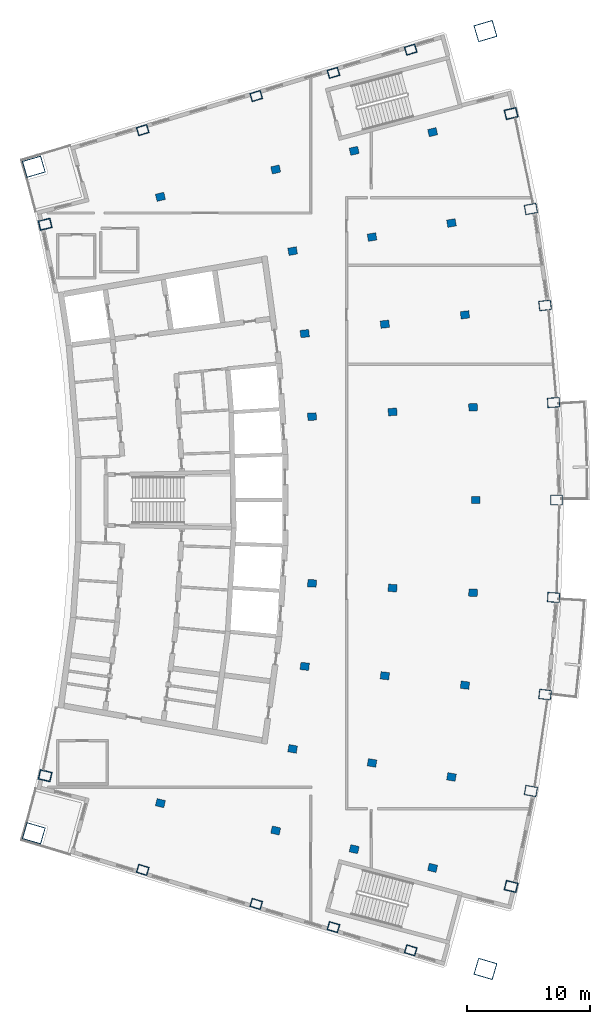
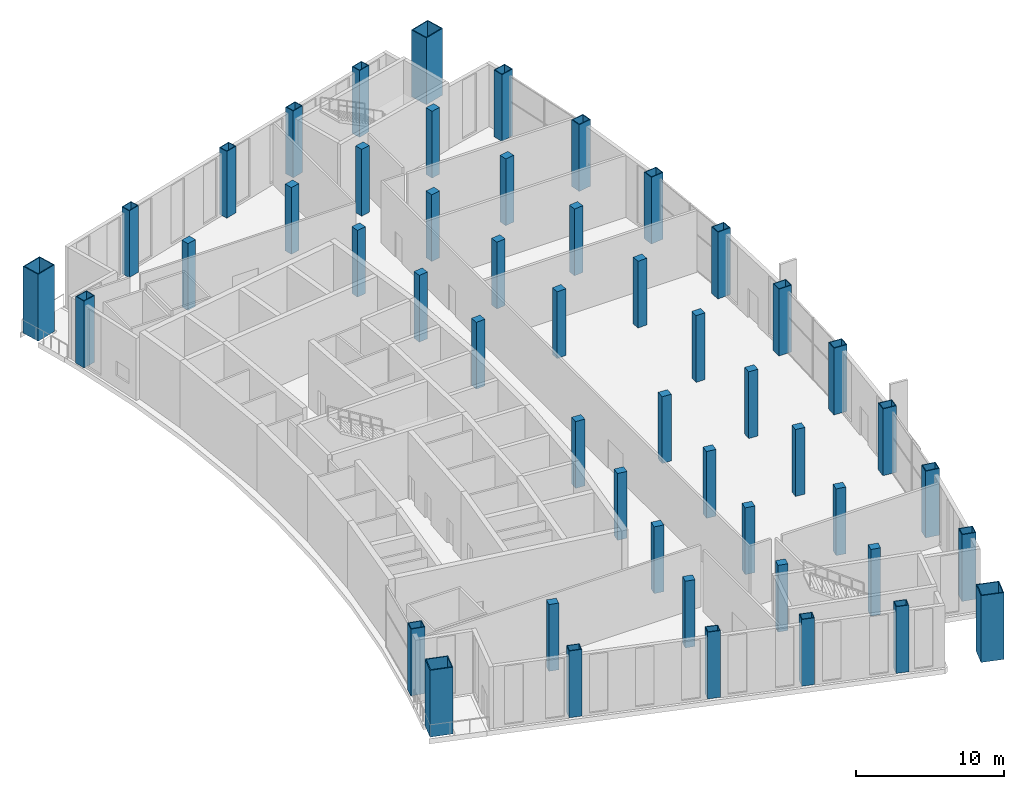
# One storey, part 1 of 13: 50 columns.
"""IFC4 building model written with IfcOpenShell, lengths in metres."""

import ifcopenshell
import ifcopenshell.guid

model = None  # the IFC model being written
_history = None  # IfcOwnerHistory: only IFC2X3 demands one
_inside = {}  # id of a spatial element -> (the spatial element, [elements in it])
_under = {}  # id of a project, library or spatial element -> (it, [spatial elements below it])
_declared = {}  # id of a project -> (the project, [libraries it declares])
_typed = {}  # id of a type object -> (the type object, [elements of that type])
_made_of = {}  # id of a material, layer set ... -> (it, [elements and type objects made of it])


def new_model(schema):
    """Start an empty IFC model of exactly this schema.

    Asked for "IFC4X3", IfcOpenShell would pick the latest addendum, in which some entities
    have other attributes; the version numbers below select the first issue.
    IFC2X3 requires an IfcOwnerHistory on every rooted entity: one is made here for all.
    """
    global model, _history
    if schema == "IFC4X3":
        model = ifcopenshell.file(schema_version=(4, 3, 0, 0))
    else:
        model = ifcopenshell.file(schema=schema)
    _inside.clear()
    _under.clear()
    _declared.clear()
    _typed.clear()
    _made_of.clear()
    _history = None
    if model.schema == "IFC2X3":
        org = make("IfcOrganization", Name="unknown")
        user = make(
            "IfcPersonAndOrganization",
            ThePerson=make("IfcPerson", FamilyName="unknown"),
            TheOrganization=org,
        )
        app = make(
            "IfcApplication",
            ApplicationDeveloper=org,
            Version="unknown",
            ApplicationFullName="unknown",
            ApplicationIdentifier="unknown",
        )
        _history = make(
            "IfcOwnerHistory",
            OwningUser=user,
            OwningApplication=app,
            ChangeAction="ADDED",
            CreationDate=0,
        )
    return model


def make(cls, **values):
    """One entity of the class cls with the attributes given. An attribute that is None is left unset."""
    return model.create_entity(
        cls, **{name: value for name, value in values.items() if value is not None}
    )


def rooted(cls, **values):
    """An entity with a GlobalId (a new one), such as an element, a storey or a relation."""
    return make(cls, GlobalId=ifcopenshell.guid.new(), OwnerHistory=_history, **values)


def si_unit(unit_type, name, prefix=None):
    """IfcSIUnit, for example si_unit("LENGTHUNIT", "METRE", prefix="MILLI")."""
    return make("IfcSIUnit", UnitType=unit_type, Prefix=prefix, Name=name)


def assignment(units):
    """IfcUnitAssignment: the units of a project."""
    return None if units is None else make("IfcUnitAssignment", Units=units)


def point(xyz):
    """IfcCartesianPoint."""
    return None if xyz is None else make("IfcCartesianPoint", Coordinates=xyz)


def direction(xyz):
    """IfcDirection."""
    return None if xyz is None else make("IfcDirection", DirectionRatios=xyz)


def frame(location, z_axis=None, x_axis=None):
    """IfcAxis2Placement3D, a coordinate frame: its origin and axes. An axis left out is left unset."""
    return make(
        "IfcAxis2Placement3D",
        Location=point(location),
        Axis=direction(z_axis),
        RefDirection=direction(x_axis),
    )


def frame_2d(location, x_axis=None):
    """IfcAxis2Placement2D, a coordinate frame in the plane: its origin and x axis."""
    return make(
        "IfcAxis2Placement2D", Location=point(location), RefDirection=direction(x_axis)
    )


def origin():
    """The frame at (0, 0, 0) with its axes left unset."""
    return frame((0.0, 0.0, 0.0))


def origin_2d():
    """The frame at (0, 0) in the plane with its x axis left unset."""
    return frame_2d((0.0, 0.0))


def place(relative_to, where):
    """IfcLocalPlacement: puts the frame where relative to a parent placement (None: the world)."""
    return make(
        "IfcLocalPlacement", PlacementRelTo=relative_to, RelativePlacement=where
    )


def context(
    kind, dimensions, precision=None, world=None, true_north=None, identifier=None
):
    """IfcGeometricRepresentationContext, for example the 3D "Model" context."""
    return make(
        "IfcGeometricRepresentationContext",
        ContextIdentifier=identifier,
        ContextType=kind,
        CoordinateSpaceDimension=dimensions,
        Precision=precision,
        WorldCoordinateSystem=world,
        TrueNorth=true_north,
    )


def subcontext(parent, identifier, kind, view, scale=None):
    """IfcGeometricRepresentationSubContext, for example "Body" below "Model"."""
    return make(
        "IfcGeometricRepresentationSubContext",
        ContextIdentifier=identifier,
        ContextType=kind,
        ParentContext=parent,
        TargetScale=scale,
        TargetView=view,
    )


def project(units=None, contexts=None):
    """IfcProject with its units and contexts."""
    return rooted(
        "IfcProject",
        Name="project",
        RepresentationContexts=contexts,
        UnitsInContext=assignment(units),
    )


def spatial(cls, under=None, at=None, **own):
    """A site, building, storey or space (cls), placed at a placement, below another one or the project."""
    s = rooted(cls, ObjectPlacement=at, **own)
    if under is not None:
        _under.setdefault(under.id(), (under, []))[1].append(s)
    return s


def profile(cls, at=None, kind="AREA", **sizes):
    """A parametric profile (cls). Its sizes go by their IFC names, for example OverallWidth=200.0."""
    return make(cls, ProfileType=kind, Position=at, **sizes)


def rectangle(**sizes):
    """IfcRectangleProfileDef."""
    return profile("IfcRectangleProfileDef", **sizes)


def hollow_rectangle(**sizes):
    """IfcRectangleHollowProfileDef."""
    return profile("IfcRectangleHollowProfileDef", **sizes)


def extrude(swept, where, along, depth):
    """IfcExtrudedAreaSolid: the profile swept, set in the frame where, extruded along a direction by depth."""
    return make(
        "IfcExtrudedAreaSolid",
        SweptArea=swept,
        Position=where,
        ExtrudedDirection=direction(along),
        Depth=depth,
    )


def shape(context_of_items, identifier, shape_type, items):
    """IfcShapeRepresentation: the items that make up one representation, for example the "Body"."""
    return make(
        "IfcShapeRepresentation",
        ContextOfItems=context_of_items,
        RepresentationIdentifier=identifier,
        RepresentationType=shape_type,
        Items=items,
    )


def material(Name=None, Category=None):
    """IfcMaterial."""
    return make("IfcMaterial", Name=Name, Category=Category)


def material_profile(
    of_material, cross_section, Name=None, Category=None, Priority=None
):
    """IfcMaterialProfile: a cross section and its material."""
    return make(
        "IfcMaterialProfile",
        Name=Name,
        Material=of_material,
        Profile=cross_section,
        Priority=Priority,
        Category=Category,
    )


def profile_set(profiles, Name=None, composite=None):
    """IfcMaterialProfileSet."""
    return make(
        "IfcMaterialProfileSet",
        Name=Name,
        MaterialProfiles=profiles,
        CompositeProfile=composite,
    )


def made_of(thing, what):
    """Note that an element or type object is made of a material, layer set ...; save() writes the relation."""
    if what is not None:
        _made_of.setdefault(what.id(), (what, []))[1].append(thing)
    return thing


def type_object(cls, material=None, **own):
    """A type object (cls), such as IfcWallType, which elements share."""
    return made_of(rooted(cls, **own), material)


def element(
    cls,
    number,
    at=None,
    inside=None,
    cuts=None,
    type_object=None,
    material=None,
    context=None,
    identifier="Body",
    shape_type=None,
    held_by="IfcProductDefinitionShape",
    body=None,
    shapes=None,
    **own,
):
    """One element of the class cls, such as IfcWall. Its Tag is "e" and its number.

    at: its placement. inside: the storey or other place that contains it. cuts: it is an
    opening in that element (IfcRelVoidsElement). A single representation is given by context,
    identifier, shape_type and body (its items); several are given by shapes. held_by: the class
    of the entity that holds the representations. save() writes the other relations.
    """
    e = rooted(cls, Tag="e%d" % number, ObjectPlacement=at, **own)
    if body is not None:
        shapes = [shape(context, identifier, shape_type, body)]
    if shapes is not None:
        e.Representation = make(held_by, Representations=shapes)
    if inside is not None:
        _inside.setdefault(inside.id(), (inside, []))[1].append(e)
    if cuts is not None:
        rooted(
            "IfcRelVoidsElement", RelatingBuildingElement=cuts, RelatedOpeningElement=e
        )
    if type_object is not None:
        _typed.setdefault(type_object.id(), (type_object, []))[1].append(e)
    return made_of(e, material)


def aggregate(whole, parts):
    """IfcRelAggregates: a whole, such as a stair, and the parts it consists of."""
    return rooted("IfcRelAggregates", RelatingObject=whole, RelatedObjects=parts)


def save(model, path):
    """Write the relations noted so far, then the file.

    IfcRelAggregates (storeys below a building ...), IfcRelContainedInSpatialStructure (elements
    in a storey), IfcRelDefinesByType, IfcRelAssociatesMaterial and IfcRelDeclares: one each for
    every whole, place, type object, material and project.
    """
    for whole, parts in _under.values():
        aggregate(whole, parts)
    for where, things in _inside.values():
        rooted(
            "IfcRelContainedInSpatialStructure",
            RelatedElements=things,
            RelatingStructure=where,
        )
    for kind, things in _typed.values():
        rooted("IfcRelDefinesByType", RelatedObjects=things, RelatingType=kind)
    for what, things in _made_of.values():
        rooted("IfcRelAssociatesMaterial", RelatedObjects=things, RelatingMaterial=what)
    for by, libraries in _declared.values():
        rooted("IfcRelDeclares", RelatingContext=by, RelatedDefinitions=libraries)
    model.write(path)


model = new_model("IFC4")

# Units and contexts
model_context = context("Model", 3, precision=1e-05, world=origin(), true_north=direction((0.0, 1.0)))
body_context = subcontext(model_context, "Body", "Model", "MODEL_VIEW")
ifc_project = project(units=[si_unit("LENGTHUNIT", "METRE"), si_unit("AREAUNIT", "SQUARE_METRE"), si_unit("VOLUMEUNIT", "CUBIC_METRE"), si_unit("PLANEANGLEUNIT", "RADIAN"), si_unit("MASSUNIT", "GRAM", prefix="KILO")], contexts=[model_context])

# Site, building, storey
site_placement = place(None, origin())
site = spatial("IfcSite", under=ifc_project, at=site_placement, CompositionType="ELEMENT")
building_placement = place(site_placement, origin())
building = spatial("IfcBuilding", under=site, at=building_placement, Name="Alderwake Tower", CompositionType="ELEMENT")
storey_placement = place(building_placement, frame((0.0, 0.0, 304.5)))
storey = spatial("IfcBuildingStorey", under=building, at=storey_placement, Name="L74", CompositionType="ELEMENT", Elevation=304.5)

# Columns
ifc_material_1 = material(Name="Steel ASTM A572 Grade 50 concrete filled C70/85", Category="concrete")
ifc_material_profile_1 = material_profile(ifc_material_1, hollow_rectangle(XDim=0.699951171875, YDim=0.89990234375, WallThickness=0.050048828125, at=origin_2d()), Name="BOX 900X700X50")
ifc_profile_set_1 = profile_set([ifc_material_profile_1], Name="Steel ASTM A572 Grade 50 concrete filled C70/85")
column_type_1 = type_object("IfcColumnType", Name="End column Z5", PredefinedType="COLUMN", material=ifc_profile_set_1)
for number, where, z_axis, x_axis, name in (
    (1, (21.885498046875, 31.03759765625, 0.0), (0.0, 0.0, 1.0), (0.282132160283, 0.95937554906, 0.0), "Column R02-C1"),
    (2, (31.080322265625, 28.27685546875, 0.0), (0.0, 0.0, 1.0), (0.282582549822, 0.959242984095, 0.0), "Column R02-C2"),
    (3, (37.337890625, 26.398193359375, 0.0), (0.0, 0.0, 1.0), (0.282847061859, 0.959165022088, 0.0), "Column R02-C3"),
    (4, (43.59521484375, 24.51953125, 0.0), (0.0, 0.0, 1.0), (0.283086443451, 0.959094398656, 0.0), "Column R02-C4"),
    (5, (21.885498046875, 90.96240234375, 0.0), (0.0, 0.0, 1.0), (-0.282132160283, 0.95937554906, 0.0), "Column R12-C1"),
    (6, (31.080322265625, 93.72314453125, 0.0), (0.0, 0.0, 1.0), (-0.282582549822, 0.959242984095, 0.0), "Column R12-C2"),
    (7, (37.337890625, 95.601806640625, 0.0), (0.0, 0.0, 1.0), (-0.282847061859, 0.959165022088, 0.0), "Column R12-C3"),
    (8, (43.59521484375, 97.48046875, 0.0), (0.0, 0.0, 1.0), (-0.283086443451, 0.959094398656, 0.0), "Column R12-C4"),
):
    element("IfcColumn", number, at=place(storey_placement, frame(where, z_axis=z_axis, x_axis=x_axis)), inside=storey, type_object=column_type_1, Name=name, PredefinedType="COLUMN", context=body_context, shape_type="SweptSolid", body=[
        extrude(hollow_rectangle(XDim=0.699951171875, YDim=0.89990234375, WallThickness=0.050048828125, at=origin_2d()), origin(), (0.0, 0.0, 1.0), 5.5),
    ])
ifc_material_2 = material(Name="Concrete C70/85", Category="concrete")
ifc_material_profile_2 = material_profile(ifc_material_2, rectangle(XDim=0.60009765625, YDim=0.699951171875, at=origin_2d()), Name="RC 700X600")
ifc_profile_set_2 = profile_set([ifc_material_profile_2], Name="Concrete C70/85")
column_type_2 = type_object("IfcColumnType", Name="Interior column Z5", PredefinedType="COLUMN", material=ifc_profile_set_2)
for number, where, z_axis, x_axis, name in (
    (9, (23.322021484375, 36.444091796875, 0.0), (0.0, 0.0, 1.0), (0.231221547198, 0.972901123502, 0.0), "Column R03-C1"),
    (10, (32.661865234375, 34.224609375, 0.0), (0.0, 0.0, 1.0), (0.231221547198, 0.972901123502, 0.0), "Column R03-C2"),
    (11, (39.018310546875, 32.7138671875, 0.0), (0.0, 0.0, 1.0), (0.231221547198, 0.972901123502, 0.0), "Column R03-C3"),
    (12, (45.37451171875, 31.203125, 0.0), (0.0, 0.0, 1.0), (0.231221547198, 0.972901123502, 0.0), "Column R03-C4"),
    (13, (34.03125, 40.83837890625, 0.0), (0.0, 0.0, 1.0), (0.174108800747, 0.984726421654, 0.0), "Column R04-C2"),
    (14, (40.46484375, 39.70068359375, 0.0), (0.0, 0.0, 1.0), (0.174108800747, 0.984726421654, 0.0), "Column R04-C3"),
    (15, (46.8984375, 38.563232421875, 0.0), (0.0, 0.0, 1.0), (0.174107082075, 0.984726725529, 0.0), "Column R04-C4"),
    (16, (35.0126953125, 47.5205078125, 0.0), (0.0, 0.0, 1.0), (0.116402054316, 0.993202175668, 0.0), "Column R05-C2"),
    (17, (41.501708984375, 46.760009765625, 0.0), (0.0, 0.0, 1.0), (0.116402054316, 0.993202175668, 0.0), "Column R05-C3"),
    (18, (47.99072265625, 45.99951171875, 0.0), (0.0, 0.0, 1.0), (0.116402054316, 0.993202175668, 0.0), "Column R05-C4"),
    (19, (35.60302734375, 54.248779296875, 0.0), (0.0, 0.0, 1.0), (0.058301061284, 0.998299046505, 0.0), "Column R06-C2"),
    (20, (42.125244140625, 53.867919921875, 0.0), (0.0, 0.0, 1.0), (0.058301061284, 0.998299046505, 0.0), "Column R06-C3"),
    (21, (48.6474609375, 53.487060546875, 0.0), (0.0, 0.0, 1.0), (0.058301061284, 0.998299046505, 0.0), "Column R06-C4"),
    (22, (48.86669921875, 61.0, 0.0), (0.0, 0.0, 1.0), (0.0, 1.0, 0.0), "Column R07-C4"),
    (23, (35.60302734375, 67.751220703125, 0.0), (0.0, 0.0, 1.0), (-0.058301061284, 0.998299046505, 0.0), "Column R08-C2"),
    (24, (42.125244140625, 68.132080078125, 0.0), (0.0, 0.0, 1.0), (-0.058301061284, 0.998299046505, 0.0), "Column R08-C3"),
    (25, (48.6474609375, 68.512939453125, 0.0), (0.0, 0.0, 1.0), (-0.058301061284, 0.998299046505, 0.0), "Column R08-C4"),
    (26, (35.0126953125, 74.4794921875, 0.0), (0.0, 0.0, 1.0), (-0.116402054316, 0.993202175668, 0.0), "Column R09-C2"),
    (27, (41.501708984375, 75.239990234375, 0.0), (0.0, 0.0, 1.0), (-0.116402054316, 0.993202175668, 0.0), "Column R09-C3"),
    (28, (47.99072265625, 76.00048828125, 0.0), (0.0, 0.0, 1.0), (-0.116402054316, 0.993202175668, 0.0), "Column R09-C4"),
    (29, (34.03125, 81.16162109375, 0.0), (0.0, 0.0, 1.0), (-0.174108800747, 0.984726421654, 0.0), "Column R10-C2"),
    (30, (40.46484375, 82.29931640625, 0.0), (0.0, 0.0, 1.0), (-0.174108800747, 0.984726421654, 0.0), "Column R10-C3"),
    (31, (46.8984375, 83.436767578125, 0.0), (0.0, 0.0, 1.0), (-0.174107082075, 0.984726725529, 0.0), "Column R10-C4"),
    (32, (23.322021484375, 85.555908203125, 0.0), (0.0, 0.0, 1.0), (-0.231221547198, 0.972901123502, 0.0), "Column R11-C1"),
    (33, (32.661865234375, 87.775390625, 0.0), (0.0, 0.0, 1.0), (-0.231221547198, 0.972901123502, 0.0), "Column R11-C2"),
    (34, (39.018310546875, 89.2861328125, 0.0), (0.0, 0.0, 1.0), (-0.231221547198, 0.972901123502, 0.0), "Column R11-C3"),
    (35, (45.37451171875, 90.796875, 0.0), (0.0, 0.0, 1.0), (-0.231221547198, 0.972901123502, 0.0), "Column R11-C4"),
):
    element("IfcColumn", number, at=place(storey_placement, frame(where, z_axis=z_axis, x_axis=x_axis)), inside=storey, type_object=column_type_2, Name=name, PredefinedType="COLUMN", context=body_context, shape_type="SweptSolid", body=[
        extrude(rectangle(XDim=0.60009765625, YDim=0.699951171875, at=origin_2d()), origin(), (0.0, 0.0, 1.0), 5.5),
    ])
ifc_material_3 = material(Name="Steel ASTM A572 Grade 50 concrete filled C70/85", Category="concrete")
ifc_material_profile_3 = material_profile(ifc_material_3, hollow_rectangle(XDim=1.39990234375, YDim=1.60009765625, WallThickness=0.070068359375, at=origin_2d()), Name="BOX 1600X1400X70")
ifc_profile_set_3 = profile_set([ifc_material_profile_3], Name="Steel ASTM A572 Grade 50 concrete filled C70/85")
column_type_3 = type_object("IfcColumnType", Name="Mega column Z5", PredefinedType="COLUMN", material=ifc_profile_set_3)
for number, where, z_axis, x_axis, name in (
    (36, (13.06298828125, 34.00244140625, 0.0), (0.0, 0.0, 1.0), (0.278612301868, 0.960403657452, 0.0), "Column R02-C0"),
    (37, (49.6494140625, 23.01318359375, 0.0), (0.0, 0.0, 1.0), (0.281175922972, 0.959656240714, 0.0), "Column R02-C5"),
    (38, (13.06298828125, 87.99755859375, 0.0), (0.0, 0.0, 1.0), (-0.278612301868, 0.960403657452, 0.0), "Column R12-C0"),
    (39, (49.6494140625, 98.98681640625, 0.0), (0.0, 0.0, 1.0), (-0.281175922972, 0.959656240714, 0.0), "Column R12-C5"),
):
    element("IfcColumn", number, at=place(storey_placement, frame(where, z_axis=z_axis, x_axis=x_axis)), inside=storey, type_object=column_type_3, Name=name, PredefinedType="COLUMN", context=body_context, shape_type="SweptSolid", body=[
        extrude(hollow_rectangle(XDim=1.39990234375, YDim=1.60009765625, WallThickness=0.070068359375, at=origin_2d()), origin(), (0.0, 0.0, 1.0), 5.5),
    ])
ifc_material_4 = material(Name="Steel ASTM A572 Grade 50 concrete filled C70/85", Category="concrete")
ifc_material_profile_4 = material_profile(ifc_material_4, hollow_rectangle(XDim=0.800048828125, YDim=1.0, WallThickness=0.054931640625, at=origin_2d()), Name="BOX 1000X800X55")
ifc_profile_set_4 = profile_set([ifc_material_profile_4], Name="Steel ASTM A572 Grade 50 concrete filled C70/85")
column_type_4 = type_object("IfcColumnType", Name="Perimeter column Z5", PredefinedType="COLUMN", material=ifc_profile_set_4)
for number, where, z_axis, x_axis, name in (
    (40, (13.982177734375, 38.6640625, 0.0), (0.0, 0.0, 1.0), (0.231221547198, 0.972901123502, 0.0), "Column R03-C0"),
    (41, (51.730712890625, 29.692626953125, 0.0), (0.0, 0.0, 1.0), (0.231221547198, 0.972901123502, 0.0), "Column R03-C5"),
    (42, (53.33203125, 37.42578125, 0.0), (0.0, 0.0, 1.0), (0.174107082075, 0.984726725529, 0.0), "Column R04-C5"),
    (43, (54.4794921875, 45.239013671875, 0.0), (0.0, 0.0, 1.0), (0.116402054316, 0.993202175668, 0.0), "Column R05-C5"),
    (44, (55.169677734375, 53.106201171875, 0.0), (0.0, 0.0, 1.0), (0.058301061284, 0.998299046505, 0.0), "Column R06-C5"),
    (45, (55.39990234375, 61.0, 0.0), (0.0, 0.0, 1.0), (0.0, 1.0, 0.0), "Column R07-C5"),
    (46, (55.169677734375, 68.893798828125, 0.0), (0.0, 0.0, 1.0), (-0.058301061284, 0.998299046505, 0.0), "Column R08-C5"),
    (47, (54.4794921875, 76.760986328125, 0.0), (0.0, 0.0, 1.0), (-0.116402054316, 0.993202175668, 0.0), "Column R09-C5"),
    (48, (53.33203125, 84.57421875, 0.0), (0.0, 0.0, 1.0), (-0.174107082075, 0.984726725529, 0.0), "Column R10-C5"),
    (49, (13.982177734375, 83.3359375, 0.0), (0.0, 0.0, 1.0), (-0.231221547198, 0.972901123502, 0.0), "Column R11-C0"),
    (50, (51.730712890625, 92.307373046875, 0.0), (0.0, 0.0, 1.0), (-0.231221547198, 0.972901123502, 0.0), "Column R11-C5"),
):
    element("IfcColumn", number, at=place(storey_placement, frame(where, z_axis=z_axis, x_axis=x_axis)), inside=storey, type_object=column_type_4, Name=name, PredefinedType="COLUMN", context=body_context, shape_type="SweptSolid", body=[
        extrude(hollow_rectangle(XDim=0.800048828125, YDim=1.0, WallThickness=0.054931640625, at=origin_2d()), origin(), (0.0, 0.0, 1.0), 5.5),
    ])

save(model, "model.ifc")
